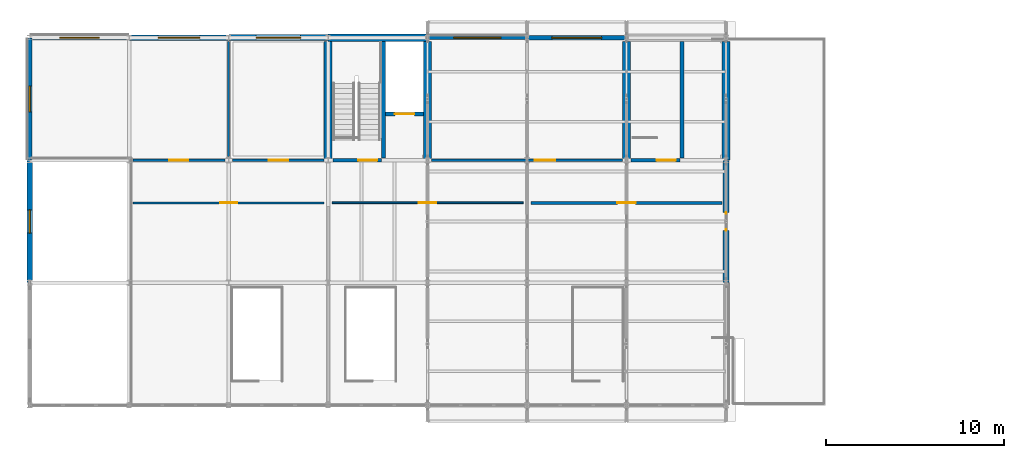
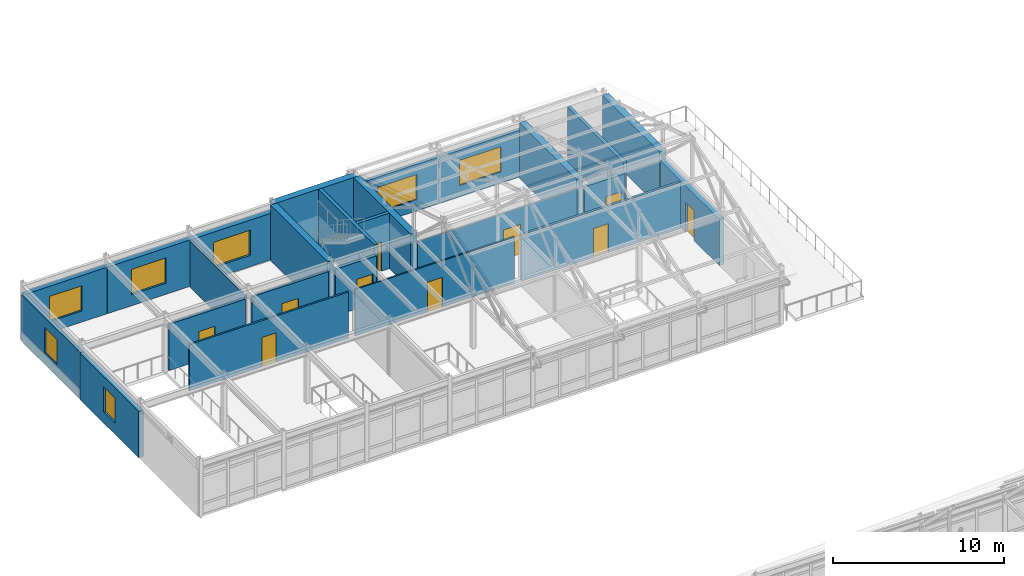
# One storey, part 133 of 144: 25 walls, 10 doors, 7 windows, 17 openings.
"""IFC4 building model written with IfcOpenShell, lengths in metres."""

from ifc_helpers import new_model, si_unit, direction, frame, frame_2d, origin, place, context, subcontext, project, spatial, rectangle, extrude, material, layer, layer_set, type_object, element, fill, save


model = new_model("IFC4")

# Units and contexts
model_context = context("Model", 3, precision=1e-05, world=origin(), true_north=direction((0.0, 1.0)))
body_context = subcontext(model_context, "Body", "Model", "MODEL_VIEW")
ifc_project = project(units=[si_unit("LENGTHUNIT", "METRE"), si_unit("AREAUNIT", "SQUARE_METRE"), si_unit("VOLUMEUNIT", "CUBIC_METRE"), si_unit("PLANEANGLEUNIT", "RADIAN"), si_unit("MASSUNIT", "GRAM", prefix="KILO")], contexts=[model_context])

# Site, building, storey
site_placement = place(None, origin())
site = spatial("IfcSite", under=ifc_project, at=site_placement, CompositionType="ELEMENT")
building_placement = place(site_placement, origin())
building = spatial("IfcBuilding", under=site, at=building_placement, Name="Trelmorton Wharf Fire Station", CompositionType="ELEMENT")
storey_placement = place(building_placement, frame((0.0, 0.0, 5.39990234375)))
storey = spatial("IfcBuildingStorey", under=building, at=storey_placement, Name="L01", CompositionType="ELEMENT", Elevation=5.39990234375)

# Wall, opening, window
ifc_material_1 = material(Name="Precast concrete 45 MPa", Category="concrete")
ifc_layer_1 = layer(ifc_material_1, 0.22998046875)
ifc_layer_set_1 = layer_set([ifc_layer_1], Name="Precast concrete 45 MPa")
wall_type_1 = type_object("IfcWallType", Name="EW_PREC_230", PredefinedType="SOLIDWALL", material=ifc_layer_set_1)
wall_1_placement = place(storey_placement, frame((23.205078125, 81.0, 0.0), z_axis=(0.0, 0.0, 1.0), x_axis=(1.0, 0.0, 0.0)))
wall_1 = element("IfcWall", 1, at=wall_1_placement, inside=storey, type_object=wall_type_1, Name="EW-V6-L01-0144", PredefinedType="SOLIDWALL", context=body_context, shape_type="SweptSolid", body=[
    extrude(rectangle(XDim=5.58984375, YDim=0.22998046875, at=frame_2d((2.794921875, 0.0))), origin(), (0.0, 0.0, 1.0), 3.320068359375),
])
opening_1_placement = place(wall_1_placement, frame((1.469970703125, 0.0, 0.800048828125)))
opening_1 = element("IfcOpeningElement", 2, at=opening_1_placement, cuts=wall_1, Name="Opening W15", PredefinedType="OPENING", context=body_context, shape_type="SweptSolid", body=[
    extrude(rectangle(XDim=2.64990234375, YDim=1.800048828125, at=frame_2d((1.324951171875, 0.89990234375))), frame((0.0, 0.125, 0.0), z_axis=(0.0, -1.0, 0.0), x_axis=(1.0, 0.0, 0.0)), (0.0, 0.0, 1.0), 0.25),
])
ifc_material_2 = material(Name="Tempered low-E double glazing", Category="glass")
window_type_1 = type_object("IfcWindowType", Name="WIN_W15", PartitioningType="TRIPLE_PANEL_VERTICAL", PredefinedType="WINDOW", material=ifc_material_2)
window_1_placement = place(opening_1_placement, origin())
window_1 = element("IfcWindow", 3, at=window_1_placement, inside=storey, type_object=window_type_1, Name="WN-V6-L01-0077", OverallHeight=1.800048828125, OverallWidth=2.64990234375, PartitioningType="TRIPLE_PANEL_VERTICAL", PredefinedType="WINDOW", context=body_context, shape_type="SweptSolid", body=[
    extrude(rectangle(XDim=2.64990234375, YDim=1.800048828125, at=frame_2d((1.324951171875, 0.89990234375))), frame((0.0, 0.030029296875, 0.0), z_axis=(0.0, -1.0, 0.0), x_axis=(1.0, 0.0, 0.0)), (0.0, 0.0, 1.0), 0.06005859375),
])
fill(opening_1, window_1)

wall_2_placement = place(storey_placement, frame((0.800048828125, 74.10498046875, 0.0), z_axis=(0.0, 0.0, 1.0), x_axis=(0.0, 1.0, 0.0)))
wall_2 = element("IfcWall", 4, at=wall_2_placement, inside=storey, type_object=wall_type_1, Name="EW-V6-L01-0150", PredefinedType="SOLIDWALL", context=body_context, shape_type="SweptSolid", body=[
    extrude(rectangle(XDim=6.89013671875, YDim=0.22998046875, at=frame_2d((3.445068359375, 0.0))), origin(), (0.0, 0.0, 1.0), 3.320068359375),
])
opening_2_placement = place(wall_2_placement, frame((2.719970703125, 0.0, 0.800048828125)))
opening_2 = element("IfcOpeningElement", 5, at=opening_2_placement, cuts=wall_2, Name="Opening W19", PredefinedType="OPENING", context=body_context, shape_type="SweptSolid", body=[
    extrude(rectangle(XDim=1.449951171875, YDim=1.800048828125, at=frame_2d((0.72509765625, 0.89990234375))), frame((0.0, 0.125, 0.0), z_axis=(0.0, -1.0, 0.0), x_axis=(1.0, 0.0, 0.0)), (0.0, 0.0, 1.0), 0.25),
])
window_type_2 = type_object("IfcWindowType", Name="WIN_W19", PartitioningType="SINGLE_PANEL", PredefinedType="WINDOW", material=ifc_material_2)
window_2_placement = place(opening_2_placement, origin())
window_2 = element("IfcWindow", 6, at=window_2_placement, inside=storey, type_object=window_type_2, Name="WN-V6-L01-0081", OverallHeight=1.800048828125, OverallWidth=1.449951171875, PartitioningType="SINGLE_PANEL", PredefinedType="WINDOW", context=body_context, shape_type="SweptSolid", body=[
    extrude(rectangle(XDim=1.449951171875, YDim=1.800048828125, at=frame_2d((0.72509765625, 0.89990234375))), frame((0.0, 0.030029296875, 0.0), z_axis=(0.0, -1.0, 0.0), x_axis=(1.0, 0.0, 0.0)), (0.0, 0.0, 1.0), 0.06005859375),
])
fill(opening_2, window_2)

ifc_layer_2 = layer(ifc_material_1, 0.25)
ifc_layer_set_2 = layer_set([ifc_layer_2], Name="Precast concrete 45 MPa")
wall_type_2 = type_object("IfcWallType", Name="EW_PREC_250", PredefinedType="SOLIDWALL", material=ifc_layer_set_2)
wall_3_placement = place(storey_placement, frame((28.804931640625, 81.0, 0.0), z_axis=(0.0, 0.0, 1.0), x_axis=(1.0, 0.0, 0.0)))
wall_3 = element("IfcWall", 7, at=wall_3_placement, inside=storey, type_object=wall_type_2, Name="EW-V6-L01-0145", PredefinedType="SOLIDWALL", context=body_context, shape_type="SweptSolid", body=[
    extrude(rectangle(XDim=5.590087890625, YDim=0.25, at=frame_2d((2.794921875, 0.0))), origin(), (0.0, 0.0, 1.0), 3.320068359375),
])
opening_3_placement = place(wall_3_placement, frame((1.39501953125, 0.0, 0.800048828125)))
opening_3 = element("IfcOpeningElement", 8, at=opening_3_placement, cuts=wall_3, Name="Opening W16", PredefinedType="OPENING", context=body_context, shape_type="SweptSolid", body=[
    extrude(rectangle(XDim=2.800048828125, YDim=1.800048828125, at=frame_2d((1.39990234375, 0.89990234375))), frame((0.0, 0.135009765625, 0.0), z_axis=(0.0, -1.0, 0.0), x_axis=(1.0, 0.0, 0.0)), (0.0, 0.0, 1.0), 0.27001953125),
])
window_type_3 = type_object("IfcWindowType", Name="WIN_W16", PartitioningType="TRIPLE_PANEL_VERTICAL", PredefinedType="WINDOW", material=ifc_material_2)
window_3_placement = place(opening_3_placement, origin())
window_3 = element("IfcWindow", 9, at=window_3_placement, inside=storey, type_object=window_type_3, Name="WN-V6-L01-0078", OverallHeight=1.800048828125, OverallWidth=2.800048828125, PartitioningType="TRIPLE_PANEL_VERTICAL", PredefinedType="WINDOW", context=body_context, shape_type="SweptSolid", body=[
    extrude(rectangle(XDim=2.800048828125, YDim=1.800048828125, at=frame_2d((1.39990234375, 0.89990234375))), frame((0.0, 0.030029296875, 0.0), z_axis=(0.0, -1.0, 0.0), x_axis=(1.0, 0.0, 0.0)), (0.0, 0.0, 1.0), 0.06005859375),
])
fill(opening_3, window_3)

ifc_layer_3 = layer(ifc_material_1, 0.2900390625)
ifc_layer_set_3 = layer_set([ifc_layer_3], Name="Precast concrete 45 MPa")
wall_type_3 = type_object("IfcWallType", Name="EW_TERR_290", PredefinedType="SOLIDWALL", material=ifc_layer_set_3)
wall_4_placement = place(storey_placement, frame((0.804931640625, 81.0, 0.0), z_axis=(0.0, 0.0, 1.0), x_axis=(1.0, 0.0, 0.0)))
wall_4 = element("IfcWall", 10, at=wall_4_placement, inside=storey, type_object=wall_type_3, Name="EW-V6-L01-0141", PredefinedType="SOLIDWALL", context=body_context, shape_type="SweptSolid", body=[
    extrude(rectangle(XDim=5.590087890625, YDim=0.2900390625, at=frame_2d((2.794921875, 0.0))), origin(), (0.0, 0.0, 1.0), 3.320068359375),
])
opening_4_placement = place(wall_4_placement, frame((1.695068359375, 0.0, 0.800048828125)))
opening_4 = element("IfcOpeningElement", 11, at=opening_4_placement, cuts=wall_4, Name="Opening W12", PredefinedType="OPENING", context=body_context, shape_type="SweptSolid", body=[
    extrude(rectangle(XDim=2.199951171875, YDim=1.800048828125, at=frame_2d((1.10009765625, 0.89990234375))), frame((0.0, 0.155029296875, 0.0), z_axis=(0.0, -1.0, 0.0), x_axis=(1.0, 0.0, 0.0)), (0.0, 0.0, 1.0), 0.31005859375),
])
window_type_4 = type_object("IfcWindowType", Name="WIN_W12", PartitioningType="DOUBLE_PANEL_VERTICAL", PredefinedType="WINDOW", material=ifc_material_2)
window_4_placement = place(opening_4_placement, origin())
window_4 = element("IfcWindow", 12, at=window_4_placement, inside=storey, type_object=window_type_4, Name="WN-V6-L01-0074", OverallHeight=1.800048828125, OverallWidth=2.199951171875, PartitioningType="DOUBLE_PANEL_VERTICAL", PredefinedType="WINDOW", context=body_context, shape_type="SweptSolid", body=[
    extrude(rectangle(XDim=2.199951171875, YDim=1.800048828125, at=frame_2d((1.10009765625, 0.89990234375))), frame((0.0, 0.030029296875, 0.0), z_axis=(0.0, -1.0, 0.0), x_axis=(1.0, 0.0, 0.0)), (0.0, 0.0, 1.0), 0.06005859375),
])
fill(opening_4, window_4)

ifc_layer_4 = layer(ifc_material_1, 0.31005859375)
ifc_layer_set_4 = layer_set([ifc_layer_4], Name="Precast concrete 45 MPa")
wall_type_4 = type_object("IfcWallType", Name="EW_TERR_310", PredefinedType="SOLIDWALL", material=ifc_layer_set_4)
wall_5_placement = place(storey_placement, frame((6.405029296875, 81.0, 0.0), z_axis=(0.0, 0.0, 1.0), x_axis=(1.0, 0.0, 0.0)))
wall_5 = element("IfcWall", 13, at=wall_5_placement, inside=storey, type_object=wall_type_4, Name="EW-V6-L01-0142", PredefinedType="SOLIDWALL", context=body_context, shape_type="SweptSolid", body=[
    extrude(rectangle(XDim=5.590087890625, YDim=0.31005859375, at=frame_2d((2.794921875, 0.0))), origin(), (0.0, 0.0, 1.0), 3.320068359375),
])
opening_5_placement = place(wall_5_placement, frame((1.6201171875, 0.0, 0.800048828125)))
opening_5 = element("IfcOpeningElement", 14, at=opening_5_placement, cuts=wall_5, Name="Opening W13", PredefinedType="OPENING", context=body_context, shape_type="SweptSolid", body=[
    extrude(rectangle(XDim=2.35009765625, YDim=1.800048828125, at=frame_2d((1.175048828125, 0.89990234375))), frame((0.0, 0.1650390625, 0.0), z_axis=(0.0, -1.0, 0.0), x_axis=(1.0, 0.0, 0.0)), (0.0, 0.0, 1.0), 0.330078125),
])
window_type_5 = type_object("IfcWindowType", Name="WIN_W13", PartitioningType="DOUBLE_PANEL_VERTICAL", PredefinedType="WINDOW", material=ifc_material_2)
window_5_placement = place(opening_5_placement, origin())
window_5 = element("IfcWindow", 15, at=window_5_placement, inside=storey, type_object=window_type_5, Name="WN-V6-L01-0075", OverallHeight=1.800048828125, OverallWidth=2.35009765625, PartitioningType="DOUBLE_PANEL_VERTICAL", PredefinedType="WINDOW", context=body_context, shape_type="SweptSolid", body=[
    extrude(rectangle(XDim=2.35009765625, YDim=1.800048828125, at=frame_2d((1.175048828125, 0.89990234375))), frame((0.0, 0.030029296875, 0.0), z_axis=(0.0, -1.0, 0.0), x_axis=(1.0, 0.0, 0.0)), (0.0, 0.0, 1.0), 0.06005859375),
])
fill(opening_5, window_5)

wall_6_placement = place(storey_placement, frame((0.800048828125, 67.205078125, 0.0), z_axis=(0.0, 0.0, 1.0), x_axis=(0.0, 1.0, 0.0)))
wall_6 = element("IfcWall", 16, at=wall_6_placement, inside=storey, type_object=wall_type_4, Name="EW-V6-L01-0148", PredefinedType="SOLIDWALL", context=body_context, shape_type="SweptSolid", body=[
    extrude(rectangle(XDim=6.889892578125, YDim=0.31005859375, at=frame_2d((3.44482421875, 0.0))), origin(), (0.0, 0.0, 1.0), 3.320068359375),
])
opening_6_placement = place(wall_6_placement, frame((2.794921875, 0.0, 0.800048828125)))
opening_6 = element("IfcOpeningElement", 17, at=opening_6_placement, cuts=wall_6, Name="Opening W18", PredefinedType="OPENING", context=body_context, shape_type="SweptSolid", body=[
    extrude(rectangle(XDim=1.300048828125, YDim=1.800048828125, at=frame_2d((0.64990234375, 0.89990234375))), frame((0.0, 0.1650390625, 0.0), z_axis=(0.0, -1.0, 0.0), x_axis=(1.0, 0.0, 0.0)), (0.0, 0.0, 1.0), 0.330078125),
])
window_type_6 = type_object("IfcWindowType", Name="WIN_W18", PartitioningType="SINGLE_PANEL", PredefinedType="WINDOW", material=ifc_material_2)
window_6_placement = place(opening_6_placement, origin())
window_6 = element("IfcWindow", 18, at=window_6_placement, inside=storey, type_object=window_type_6, Name="WN-V6-L01-0080", OverallHeight=1.800048828125, OverallWidth=1.300048828125, PartitioningType="SINGLE_PANEL", PredefinedType="WINDOW", context=body_context, shape_type="SweptSolid", body=[
    extrude(rectangle(XDim=1.300048828125, YDim=1.800048828125, at=frame_2d((0.64990234375, 0.89990234375))), frame((0.0, 0.030029296875, 0.0), z_axis=(0.0, -1.0, 0.0), x_axis=(1.0, 0.0, 0.0)), (0.0, 0.0, 1.0), 0.06005859375),
])
fill(opening_6, window_6)

ifc_layer_5 = layer(ifc_material_1, 0.330078125)
ifc_layer_set_5 = layer_set([ifc_layer_5], Name="Precast concrete 45 MPa")
wall_type_5 = type_object("IfcWallType", Name="EW_TERR_330", PredefinedType="SOLIDWALL", material=ifc_layer_set_5)
wall_7_placement = place(storey_placement, frame((12.0048828125, 81.0, 0.0), z_axis=(0.0, 0.0, 1.0), x_axis=(1.0, 0.0, 0.0)))
wall_7 = element("IfcWall", 19, at=wall_7_placement, inside=storey, type_object=wall_type_5, Name="EW-V6-L01-0143", PredefinedType="SOLIDWALL", context=body_context, shape_type="SweptSolid", body=[
    extrude(rectangle(XDim=5.590087890625, YDim=0.330078125, at=frame_2d((2.794921875, 0.0))), origin(), (0.0, 0.0, 1.0), 3.320068359375),
])
opening_7_placement = place(wall_7_placement, frame((1.544921875, 0.0, 0.800048828125)))
opening_7 = element("IfcOpeningElement", 20, at=opening_7_placement, cuts=wall_7, Name="Opening W14", PredefinedType="OPENING", context=body_context, shape_type="SweptSolid", body=[
    extrude(rectangle(XDim=2.5, YDim=1.800048828125, at=frame_2d((1.25, 0.89990234375))), frame((0.0, 0.175048828125, 0.0), z_axis=(0.0, -1.0, 0.0), x_axis=(1.0, 0.0, 0.0)), (0.0, 0.0, 1.0), 0.35009765625),
])
window_type_7 = type_object("IfcWindowType", Name="WIN_W14", PartitioningType="TRIPLE_PANEL_VERTICAL", PredefinedType="WINDOW", material=ifc_material_2)
window_7_placement = place(opening_7_placement, origin())
window_7 = element("IfcWindow", 21, at=window_7_placement, inside=storey, type_object=window_type_7, Name="WN-V6-L01-0076", OverallHeight=1.800048828125, OverallWidth=2.5, PartitioningType="TRIPLE_PANEL_VERTICAL", PredefinedType="WINDOW", context=body_context, shape_type="SweptSolid", body=[
    extrude(rectangle(XDim=2.5, YDim=1.800048828125, at=frame_2d((1.25, 0.89990234375))), frame((0.0, 0.030029296875, 0.0), z_axis=(0.0, -1.0, 0.0), x_axis=(1.0, 0.0, 0.0)), (0.0, 0.0, 1.0), 0.06005859375),
])
fill(opening_7, window_7)

# Wall, opening, door
wall_8_placement = place(storey_placement, frame((40.0, 74.094970703125, 0.0), z_axis=(0.0, 0.0, 1.0), x_axis=(0.0, -1.0, 0.0)))
wall_8 = element("IfcWall", 22, at=wall_8_placement, inside=storey, type_object=wall_type_5, Name="EW-V6-L01-0149", PredefinedType="SOLIDWALL", context=body_context, shape_type="SweptSolid", body=[
    extrude(rectangle(XDim=6.889892578125, YDim=0.330078125, at=frame_2d((3.44482421875, 0.0))), origin(), (0.0, 0.0, 1.0), 3.320068359375),
])
opening_8_placement = place(wall_8_placement, frame((2.93505859375, 0.0, 0.0)))
opening_8 = element("IfcOpeningElement", 23, at=opening_8_placement, cuts=wall_8, Name="Opening TD-023", PredefinedType="OPENING", context=body_context, shape_type="SweptSolid", body=[
    extrude(rectangle(XDim=1.02001953125, YDim=2.139892578125, at=frame_2d((0.510009765625, 1.06982421875))), frame((0.0, 0.175048828125, 0.0), z_axis=(0.0, -1.0, 0.0), x_axis=(1.0, 0.0, 0.0)), (0.0, 0.0, 1.0), 0.35009765625),
])
ifc_material_3 = material(Name="Anodised aluminium AW-6063", Category="aluminium")
door_type_1 = type_object("IfcDoorType", Name="DR_TER_SGL_102", OperationType="NOTDEFINED", PredefinedType="DOOR", material=ifc_material_3)
door_1_placement = place(opening_8_placement, origin())
door_1 = element("IfcDoor", 24, at=door_1_placement, inside=storey, type_object=door_type_1, Name="Terrace Door TD-023", OperationType="SINGLE_SWING_LEFT", OverallHeight=2.139892578125, OverallWidth=1.02001953125, PredefinedType="DOOR", context=body_context, shape_type="SweptSolid", body=[
    extrude(rectangle(XDim=1.02001953125, YDim=2.139892578125, at=frame_2d((0.510009765625, 1.06982421875))), frame((0.0, 0.02490234375, 0.0), z_axis=(0.0, -1.0, 0.0), x_axis=(1.0, 0.0, 0.0)), (0.0, 0.0, 1.0), 0.050048828125),
])
fill(opening_8, door_1)

ifc_material_4 = material(Name="Gypsum plasterboard partition")
ifc_layer_6 = layer(ifc_material_4, 0.14990234375)
ifc_layer_set_6 = layer_set([ifc_layer_6], Name="Gypsum plasterboard partition")
wall_type_6 = type_object("IfcWallType", Name="IW_ACOU_150", PredefinedType="PARTITIONING", material=ifc_layer_set_6)
wall_9_placement = place(storey_placement, frame((6.6201171875, 74.10009765625, 0.0), z_axis=(0.0, 0.0, 1.0), x_axis=(1.0, 0.0, 0.0)))
wall_9 = element("IfcWall", 25, at=wall_9_placement, inside=storey, type_object=wall_type_6, Name="IW-L01-0100", PredefinedType="PARTITIONING", context=body_context, shape_type="SweptSolid", body=[
    extrude(rectangle(XDim=5.159912109375, YDim=0.14990234375, at=frame_2d((2.580078125, 0.0))), origin(), (0.0, 0.0, 1.0), 3.300048828125),
])
opening_9_placement = place(wall_9_placement, frame((2.044921875, 0.0, 0.0)))
opening_9 = element("IfcOpeningElement", 26, at=opening_9_placement, cuts=wall_9, Name="Opening D-067", PredefinedType="OPENING", context=body_context, shape_type="SweptSolid", body=[
    extrude(rectangle(XDim=1.070068359375, YDim=2.080078125, at=frame_2d((0.53515625, 1.0400390625))), frame((0.0, 0.0849609375, 0.0), z_axis=(0.0, -1.0, 0.0), x_axis=(1.0, 0.0, 0.0)), (0.0, 0.0, 1.0), 0.169921875),
])
ifc_material_5 = material(Name="Acoustic timber panelling", Category="wood")
door_type_2 = type_object("IfcDoorType", Name="DR_INT_107", OperationType="NOTDEFINED", PredefinedType="DOOR", material=ifc_material_5)
door_2_placement = place(opening_9_placement, origin())
door_2 = element("IfcDoor", 27, at=door_2_placement, inside=storey, type_object=door_type_2, Name="Interior Door D-067", OperationType="SINGLE_SWING_LEFT", OverallHeight=2.080078125, OverallWidth=1.070068359375, PredefinedType="DOOR", context=body_context, shape_type="SweptSolid", body=[
    extrude(rectangle(XDim=1.070068359375, YDim=2.080078125, at=frame_2d((0.53515625, 1.0400390625))), frame((0.0, 0.02490234375, 0.0), z_axis=(0.0, -1.0, 0.0), x_axis=(1.0, 0.0, 0.0)), (0.0, 0.0, 1.0), 0.050048828125),
])
fill(opening_9, door_2)

ifc_layer_7 = layer(ifc_material_4, 0.159912109375)
ifc_layer_set_7 = layer_set([ifc_layer_7], Name="Gypsum plasterboard partition")
wall_type_7 = type_object("IfcWallType", Name="IW_ACOU_160", PredefinedType="PARTITIONING", material=ifc_layer_set_7)
wall_10_placement = place(storey_placement, frame((29.02001953125, 71.699951171875, 0.0), z_axis=(0.0, 0.0, 1.0), x_axis=(1.0, 0.0, 0.0)))
wall_10 = element("IfcWall", 28, at=wall_10_placement, inside=storey, type_object=wall_type_7, Name="IW-L01-0099", PredefinedType="PARTITIONING", context=body_context, shape_type="SweptSolid", body=[
    extrude(rectangle(XDim=10.760009765625, YDim=0.159912109375, at=frame_2d((5.3798828125, 0.0))), origin(), (0.0, 0.0, 1.0), 3.300048828125),
])
opening_10_placement = place(wall_10_placement, frame((4.864990234375, 0.0, 0.0)))
opening_10 = element("IfcOpeningElement", 29, at=opening_10_placement, cuts=wall_10, Name="Opening D-066", PredefinedType="OPENING", context=body_context, shape_type="SweptSolid", body=[
    extrude(rectangle(XDim=1.030029296875, YDim=2.06005859375, at=frame_2d((0.51513671875, 1.030029296875))), frame((0.0, 0.08984375, 0.0), z_axis=(0.0, -1.0, 0.0), x_axis=(1.0, 0.0, 0.0)), (0.0, 0.0, 1.0), 0.179931640625),
])
door_type_3 = type_object("IfcDoorType", Name="DR_INT_103", OperationType="NOTDEFINED", PredefinedType="DOOR", material=ifc_material_5)
door_3_placement = place(opening_10_placement, origin())
door_3 = element("IfcDoor", 30, at=door_3_placement, inside=storey, type_object=door_type_3, Name="Interior Door D-066", OperationType="SINGLE_SWING_RIGHT", OverallHeight=2.06005859375, OverallWidth=1.030029296875, PredefinedType="DOOR", context=body_context, shape_type="SweptSolid", body=[
    extrude(rectangle(XDim=1.030029296875, YDim=2.06005859375, at=frame_2d((0.51513671875, 1.030029296875))), frame((0.0, 0.02490234375, 0.0), z_axis=(0.0, -1.0, 0.0), x_axis=(1.0, 0.0, 0.0)), (0.0, 0.0, 1.0), 0.050048828125),
])
fill(opening_10, door_3)

# Wall
ifc_material_6 = material(Name="Concrete 40 MPa", Category="concrete")
ifc_layer_8 = layer(ifc_material_6, 0.219970703125)
ifc_layer_set_8 = layer_set([ifc_layer_8], Name="Concrete 40 MPa")
wall_type_8 = type_object("IfcWallType", Name="IW_CORE_220", PredefinedType="SOLIDWALL", material=ifc_layer_set_8)
wall_11_placement = place(storey_placement, frame((20.719970703125, 74.219970703125, 0.0), z_axis=(0.0, 0.0, 1.0), x_axis=(0.0, 1.0, 0.0)))
element("IfcWall", 31, at=wall_11_placement, inside=storey, type_object=wall_type_8, Name="IW-C5-DIV-L01", PredefinedType="SOLIDWALL", context=body_context, shape_type="SweptSolid", body=[
    extrude(rectangle(XDim=6.554931640625, YDim=0.219970703125, at=frame_2d((3.27734375, 0.0))), origin(), (0.0, 0.0, 1.0), 3.960205078125),
])

# Wall, opening, door
wall_12_placement = place(storey_placement, frame((17.860107421875, 74.10009765625, 0.0), z_axis=(0.0, 0.0, 1.0), x_axis=(1.0, 0.0, 0.0)))
wall_12 = element("IfcWall", 32, at=wall_12_placement, inside=storey, type_object=wall_type_8, Name="IW-C5-SF-L01", PredefinedType="SOLIDWALL", context=body_context, shape_type="SweptSolid", body=[
    extrude(rectangle(XDim=2.739990234375, YDim=0.219970703125, at=frame_2d((1.3701171875, 0.0))), origin(), (0.0, 0.0, 1.0), 3.320068359375),
])
opening_11_placement = place(wall_12_placement, frame((1.43994140625, 0.0, 0.0)))
opening_11 = element("IfcOpeningElement", 33, at=opening_11_placement, cuts=wall_12, Name="Opening FD-024", PredefinedType="OPENING", context=body_context, shape_type="SweptSolid", body=[
    extrude(rectangle(XDim=1.06005859375, YDim=2.10009765625, at=frame_2d((0.530029296875, 1.050048828125))), frame((0.0, 0.1201171875, 0.0), z_axis=(0.0, -1.0, 0.0), x_axis=(1.0, 0.0, 0.0)), (0.0, 0.0, 1.0), 0.239990234375),
])
ifc_material_7 = material(Name="Stainless steel 316 marine grade", Category="steel")
door_type_4 = type_object("IfcDoorType", Name="DR_FIRE_106", OperationType="NOTDEFINED", PredefinedType="DOOR", material=ifc_material_7)
door_4_placement = place(opening_11_placement, origin())
door_4 = element("IfcDoor", 34, at=door_4_placement, inside=storey, type_object=door_type_4, Name="Stair Fire Door FD-024", OperationType="SINGLE_SWING_LEFT", OverallHeight=2.10009765625, OverallWidth=1.06005859375, PredefinedType="DOOR", context=body_context, shape_type="SweptSolid", body=[
    extrude(rectangle(XDim=1.06005859375, YDim=2.10009765625, at=frame_2d((0.530029296875, 1.050048828125))), frame((0.0, 0.02490234375, 0.0), z_axis=(0.0, -1.0, 0.0), x_axis=(1.0, 0.0, 0.0)), (0.0, 0.0, 1.0), 0.050048828125),
])
fill(opening_11, door_4)

wall_13_placement = place(storey_placement, frame((20.840087890625, 76.699951171875, 0.0), z_axis=(0.0, 0.0, 1.0), x_axis=(1.0, 0.0, 0.0)))
wall_13 = element("IfcWall", 35, at=wall_13_placement, inside=storey, type_object=wall_type_8, Name="IW-C5-LSH-L01", PredefinedType="SOLIDWALL", context=body_context, shape_type="SweptSolid", body=[
    extrude(rectangle(XDim=2.135009765625, YDim=0.219970703125, at=frame_2d((1.0673828125, 0.0))), origin(), (0.0, 0.0, 1.0), 3.960205078125),
])
opening_12_placement = place(wall_13_placement, frame((0.517578125, 0.0, 0.0)))
opening_12 = element("IfcOpeningElement", 36, at=opening_12_placement, cuts=wall_13, Name="Opening LD-024", PredefinedType="OPENING", context=body_context, shape_type="SweptSolid", body=[
    extrude(rectangle(XDim=1.10009765625, YDim=2.10009765625, at=frame_2d((0.550048828125, 1.050048828125))), frame((0.0, 0.1201171875, 0.0), z_axis=(0.0, -1.0, 0.0), x_axis=(1.0, 0.0, 0.0)), (0.0, 0.0, 1.0), 0.239990234375),
])
door_type_5 = type_object("IfcDoorType", Name="DR_LIFT_110", OperationType="DOUBLE_DOOR_SLIDING", PredefinedType="DOOR", material=ifc_material_7)
door_5_placement = place(opening_12_placement, origin())
door_5 = element("IfcDoor", 37, at=door_5_placement, inside=storey, type_object=door_type_5, Name="Lift Landing Door LD-024", OperationType="DOUBLE_DOOR_SLIDING", OverallHeight=2.10009765625, OverallWidth=1.10009765625, PredefinedType="DOOR", context=body_context, shape_type="SweptSolid", body=[
    extrude(rectangle(XDim=1.10009765625, YDim=2.10009765625, at=frame_2d((0.550048828125, 1.050048828125))), frame((0.0, 0.02490234375, 0.0), z_axis=(0.0, -1.0, 0.0), x_axis=(1.0, 0.0, 0.0)), (0.0, 0.0, 1.0), 0.050048828125),
])
fill(opening_12, door_5)

# Wall
wall_14_placement = place(storey_placement, frame((37.52001953125, 74.219970703125, 0.0), z_axis=(0.0, 0.0, 1.0), x_axis=(0.0, 1.0, 0.0)))
element("IfcWall", 38, at=wall_14_placement, inside=storey, type_object=wall_type_8, Name="IW-C5B-DIV-L01", PredefinedType="SOLIDWALL", context=body_context, shape_type="SweptSolid", body=[
    extrude(rectangle(XDim=6.554931640625, YDim=0.219970703125, at=frame_2d((3.27734375, 0.0))), origin(), (0.0, 0.0, 1.0), 3.960205078125),
])

# Wall, opening, door
wall_15_placement = place(storey_placement, frame((34.659912109375, 74.10009765625, 0.0), z_axis=(0.0, 0.0, 1.0), x_axis=(1.0, 0.0, 0.0)))
wall_15 = element("IfcWall", 39, at=wall_15_placement, inside=storey, type_object=wall_type_8, Name="IW-C5B-SF-L01", PredefinedType="SOLIDWALL", context=body_context, shape_type="SweptSolid", body=[
    extrude(rectangle(XDim=2.739990234375, YDim=0.219970703125, at=frame_2d((1.3701171875, 0.0))), origin(), (0.0, 0.0, 1.0), 3.320068359375),
])
opening_13_placement = place(wall_15_placement, frame((1.43994140625, 0.0, 0.0)))
opening_13 = element("IfcOpeningElement", 40, at=opening_13_placement, cuts=wall_15, Name="Opening FD-027", PredefinedType="OPENING", context=body_context, shape_type="SweptSolid", body=[
    extrude(rectangle(XDim=1.06005859375, YDim=2.10009765625, at=frame_2d((0.530029296875, 1.050048828125))), frame((0.0, 0.1201171875, 0.0), z_axis=(0.0, -1.0, 0.0), x_axis=(1.0, 0.0, 0.0)), (0.0, 0.0, 1.0), 0.239990234375),
])
door_6_placement = place(opening_13_placement, origin())
door_6 = element("IfcDoor", 41, at=door_6_placement, inside=storey, type_object=door_type_4, Name="Stair Fire Door FD-027", OperationType="SINGLE_SWING_LEFT", OverallHeight=2.10009765625, OverallWidth=1.06005859375, PredefinedType="DOOR", context=body_context, shape_type="SweptSolid", body=[
    extrude(rectangle(XDim=1.06005859375, YDim=2.10009765625, at=frame_2d((0.530029296875, 1.050048828125))), frame((0.0, 0.02490234375, 0.0), z_axis=(0.0, -1.0, 0.0), x_axis=(1.0, 0.0, 0.0)), (0.0, 0.0, 1.0), 0.050048828125),
])
fill(opening_13, door_6)

ifc_layer_9 = layer(ifc_material_4, 0.10009765625)
ifc_layer_set_9 = layer_set([ifc_layer_9], Name="Gypsum plasterboard partition")
wall_type_9 = type_object("IfcWallType", Name="IW_PART_100", PredefinedType="PARTITIONING", material=ifc_layer_set_9)
wall_16_placement = place(storey_placement, frame((17.820068359375, 71.699951171875, 0.0), z_axis=(0.0, 0.0, 1.0), x_axis=(1.0, 0.0, 0.0)))
wall_16 = element("IfcWall", 42, at=wall_16_placement, inside=storey, type_object=wall_type_9, Name="IW-L01-0098", PredefinedType="PARTITIONING", context=body_context, shape_type="SweptSolid", body=[
    extrude(rectangle(XDim=10.760009765625, YDim=0.10009765625, at=frame_2d((5.3798828125, 0.0))), origin(), (0.0, 0.0, 1.0), 3.300048828125),
])
opening_14_placement = place(wall_16_placement, frame((4.8798828125, 0.0, 0.0)))
opening_14 = element("IfcOpeningElement", 43, at=opening_14_placement, cuts=wall_16, Name="Opening D-065", PredefinedType="OPENING", context=body_context, shape_type="SweptSolid", body=[
    extrude(rectangle(XDim=1.0, YDim=2.1201171875, at=frame_2d((0.5, 1.06005859375))), frame((0.0, 0.06005859375, 0.0), z_axis=(0.0, -1.0, 0.0), x_axis=(1.0, 0.0, 0.0)), (0.0, 0.0, 1.0), 0.1201171875),
])
door_type_6 = type_object("IfcDoorType", Name="DR_INT_100", OperationType="NOTDEFINED", PredefinedType="DOOR", material=ifc_material_5)
door_7_placement = place(opening_14_placement, origin())
door_7 = element("IfcDoor", 44, at=door_7_placement, inside=storey, type_object=door_type_6, Name="Interior Door D-065", OperationType="SINGLE_SWING_LEFT", OverallHeight=2.1201171875, OverallWidth=1.0, PredefinedType="DOOR", context=body_context, shape_type="SweptSolid", body=[
    extrude(rectangle(XDim=1.0, YDim=2.1201171875, at=frame_2d((0.5, 1.06005859375))), frame((0.0, 0.02490234375, 0.0), z_axis=(0.0, -1.0, 0.0), x_axis=(1.0, 0.0, 0.0)), (0.0, 0.0, 1.0), 0.050048828125),
])
fill(opening_14, door_7)

ifc_layer_10 = layer(ifc_material_4, 0.1298828125)
ifc_layer_set_10 = layer_set([ifc_layer_10], Name="Gypsum plasterboard partition")
wall_type_10 = type_object("IfcWallType", Name="IW_PART_130", PredefinedType="PARTITIONING", material=ifc_layer_set_10)
wall_17_placement = place(storey_placement, frame((23.419921875, 74.10009765625, 0.0), z_axis=(0.0, 0.0, 1.0), x_axis=(1.0, 0.0, 0.0)))
wall_17 = element("IfcWall", 45, at=wall_17_placement, inside=storey, type_object=wall_type_10, Name="IW-L01-0102", PredefinedType="PARTITIONING", context=body_context, shape_type="SweptSolid", body=[
    extrude(rectangle(XDim=10.760009765625, YDim=0.1298828125, at=frame_2d((5.3798828125, 0.0))), origin(), (0.0, 0.0, 1.0), 3.300048828125),
])
opening_15_placement = place(wall_17_placement, frame((5.804931640625, 0.0, 0.0)))
opening_15 = element("IfcOpeningElement", 46, at=opening_15_placement, cuts=wall_17, Name="Opening D-069", PredefinedType="OPENING", context=body_context, shape_type="SweptSolid", body=[
    extrude(rectangle(XDim=1.14990234375, YDim=2.1201171875, at=frame_2d((0.574951171875, 1.06005859375))), frame((0.0, 0.074951171875, 0.0), z_axis=(0.0, -1.0, 0.0), x_axis=(1.0, 0.0, 0.0)), (0.0, 0.0, 1.0), 0.14990234375),
])
door_type_7 = type_object("IfcDoorType", Name="DR_INT_115", OperationType="NOTDEFINED", PredefinedType="DOOR", material=ifc_material_5)
door_8_placement = place(opening_15_placement, origin())
door_8 = element("IfcDoor", 47, at=door_8_placement, inside=storey, type_object=door_type_7, Name="Interior Door D-069", OperationType="SINGLE_SWING_LEFT", OverallHeight=2.1201171875, OverallWidth=1.14990234375, PredefinedType="DOOR", context=body_context, shape_type="SweptSolid", body=[
    extrude(rectangle(XDim=1.14990234375, YDim=2.1201171875, at=frame_2d((0.574951171875, 1.06005859375))), frame((0.0, 0.02490234375, 0.0), z_axis=(0.0, -1.0, 0.0), x_axis=(1.0, 0.0, 0.0)), (0.0, 0.0, 1.0), 0.050048828125),
])
fill(opening_15, door_8)

ifc_layer_11 = layer(ifc_material_4, 0.139892578125)
ifc_layer_set_11 = layer_set([ifc_layer_11], Name="Gypsum plasterboard partition")
wall_type_11 = type_object("IfcWallType", Name="IW_PART_140", PredefinedType="PARTITIONING", material=ifc_layer_set_11)
wall_18_placement = place(storey_placement, frame((12.219970703125, 74.10009765625, 0.0), z_axis=(0.0, 0.0, 1.0), x_axis=(1.0, 0.0, 0.0)))
wall_18 = element("IfcWall", 48, at=wall_18_placement, inside=storey, type_object=wall_type_11, Name="IW-L01-0101", PredefinedType="PARTITIONING", context=body_context, shape_type="SweptSolid", body=[
    extrude(rectangle(XDim=5.159912109375, YDim=0.139892578125, at=frame_2d((2.580078125, 0.0))), origin(), (0.0, 0.0, 1.0), 3.300048828125),
])
opening_16_placement = place(wall_18_placement, frame((2.02490234375, 0.0, 0.0)))
opening_16 = element("IfcOpeningElement", 49, at=opening_16_placement, cuts=wall_18, Name="Opening D-068", PredefinedType="OPENING", context=body_context, shape_type="SweptSolid", body=[
    extrude(rectangle(XDim=1.110107421875, YDim=2.10009765625, at=frame_2d((0.55517578125, 1.050048828125))), frame((0.0, 0.080078125, 0.0), z_axis=(0.0, -1.0, 0.0), x_axis=(1.0, 0.0, 0.0)), (0.0, 0.0, 1.0), 0.159912109375),
])
door_type_8 = type_object("IfcDoorType", Name="DR_INT_111", OperationType="NOTDEFINED", PredefinedType="DOOR", material=ifc_material_5)
door_9_placement = place(opening_16_placement, origin())
door_9 = element("IfcDoor", 50, at=door_9_placement, inside=storey, type_object=door_type_8, Name="Interior Door D-068", OperationType="SINGLE_SWING_RIGHT", OverallHeight=2.10009765625, OverallWidth=1.110107421875, PredefinedType="DOOR", context=body_context, shape_type="SweptSolid", body=[
    extrude(rectangle(XDim=1.110107421875, YDim=2.10009765625, at=frame_2d((0.55517578125, 1.050048828125))), frame((0.0, 0.02490234375, 0.0), z_axis=(0.0, -1.0, 0.0), x_axis=(1.0, 0.0, 0.0)), (0.0, 0.0, 1.0), 0.050048828125),
])
fill(opening_16, door_9)

ifc_layer_12 = layer(ifc_material_4, 0.1201171875)
ifc_layer_set_12 = layer_set([ifc_layer_12], Name="Gypsum plasterboard partition")
wall_type_12 = type_object("IfcWallType", Name="IW_WET_120", PredefinedType="PARTITIONING", material=ifc_layer_set_12)
wall_19_placement = place(storey_placement, frame((6.6201171875, 71.699951171875, 0.0), z_axis=(0.0, 0.0, 1.0), x_axis=(1.0, 0.0, 0.0)))
wall_19 = element("IfcWall", 51, at=wall_19_placement, inside=storey, type_object=wall_type_12, Name="IW-L01-0096", PredefinedType="PARTITIONING", context=body_context, shape_type="SweptSolid", body=[
    extrude(rectangle(XDim=10.759765625, YDim=0.1201171875, at=frame_2d((5.3798828125, 0.0))), origin(), (0.0, 0.0, 1.0), 3.300048828125),
])
opening_17_placement = place(wall_19_placement, frame((4.89501953125, 0.0, 0.0)))
opening_17 = element("IfcOpeningElement", 52, at=opening_17_placement, cuts=wall_19, Name="Opening D-064", PredefinedType="OPENING", context=body_context, shape_type="SweptSolid", body=[
    extrude(rectangle(XDim=0.969970703125, YDim=2.10009765625, at=frame_2d((0.48486328125, 1.050048828125))), frame((0.0, 0.070068359375, 0.0), z_axis=(0.0, -1.0, 0.0), x_axis=(1.0, 0.0, 0.0)), (0.0, 0.0, 1.0), 0.14013671875),
])
door_type_9 = type_object("IfcDoorType", Name="DR_INT_097", OperationType="NOTDEFINED", PredefinedType="DOOR", material=ifc_material_5)
door_10_placement = place(opening_17_placement, origin())
door_10 = element("IfcDoor", 53, at=door_10_placement, inside=storey, type_object=door_type_9, Name="Interior Door D-064", OperationType="SINGLE_SWING_RIGHT", OverallHeight=2.10009765625, OverallWidth=0.969970703125, PredefinedType="DOOR", context=body_context, shape_type="SweptSolid", body=[
    extrude(rectangle(XDim=0.969970703125, YDim=2.10009765625, at=frame_2d((0.48486328125, 1.050048828125))), frame((0.0, 0.02490234375, 0.0), z_axis=(0.0, -1.0, 0.0), x_axis=(1.0, 0.0, 0.0)), (0.0, 0.0, 1.0), 0.050048828125),
])
fill(opening_17, door_10)

# Walls
wall_20_placement = place(storey_placement, frame((12.0, 74.320068359375, 0.0), z_axis=(0.0, 0.0, 1.0), x_axis=(0.0, 1.0, 0.0)))
element("IfcWall", 54, at=wall_20_placement, inside=storey, type_object=wall_type_12, Name="IW-L01-0103", PredefinedType="PARTITIONING", context=body_context, shape_type="SweptSolid", body=[
    extrude(rectangle(XDim=6.4599609375, YDim=0.1201171875, at=frame_2d((3.22998046875, 0.0))), origin(), (0.0, 0.0, 1.0), 3.300048828125),
])
ifc_material_8 = material(Name="Concrete 50 MPa", Category="concrete")
ifc_layer_13 = layer(ifc_material_8, 0.43994140625)
ifc_layer_set_13 = layer_set([ifc_layer_13], Name="Concrete 50 MPa")
wall_type_13 = type_object("IfcWallType", Name="WL_CORE_440", PredefinedType="SHEAR", material=ifc_layer_set_13)
wall_21_placement = place(storey_placement, frame((17.60009765625, 81.0, 0.0), z_axis=(0.0, 0.0, 1.0), x_axis=(1.0, 0.0, 0.0)))
element("IfcWall", 55, at=wall_21_placement, inside=storey, type_object=wall_type_13, Name="WL-SW-C5-L01-070", PredefinedType="SHEAR", context=body_context, shape_type="SweptSolid", body=[
    extrude(rectangle(XDim=5.599853515625, YDim=0.43994140625, at=frame_2d((2.7998046875, 0.0))), origin(), (0.0, 0.0, 1.0), 3.960205078125),
])
for number, where, z_axis, x_axis, name in (
    (56, (17.60009765625, 74.10009765625, 0.0), (0.0, 0.0, 1.0), (0.0, 1.0, 0.0), "WL-SW-C5-L01-071"),
    (57, (23.199951171875, 74.10009765625, 0.0), (0.0, 0.0, 1.0), (0.0, 1.0, 0.0), "WL-SW-C5-L01-072"),
    (58, (34.39990234375, 74.10009765625, 0.0), (0.0, 0.0, 1.0), (0.0, 1.0, 0.0), "WL-SW-C5B-L01-080"),
    (59, (40.0, 74.10009765625, 0.0), (0.0, 0.0, 1.0), (0.0, 1.0, 0.0), "WL-SW-C5B-L01-081"),
):
    element("IfcWall", number, at=place(storey_placement, frame(where, z_axis=z_axis, x_axis=x_axis)), inside=storey, type_object=wall_type_13, Name=name, PredefinedType="SHEAR", context=body_context, shape_type="SweptSolid", body=[
        extrude(rectangle(XDim=6.679931640625, YDim=0.43994140625, at=frame_2d((3.33984375, 0.0))), origin(), (0.0, 0.0, 1.0), 3.960205078125),
    ])

save(model, "model.ifc")
